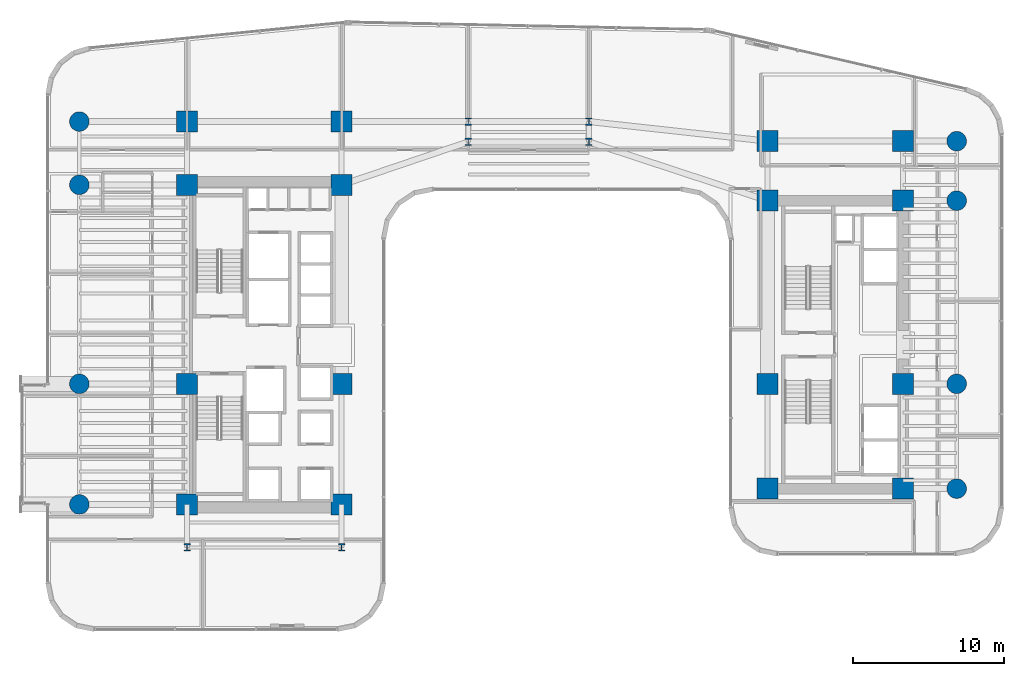
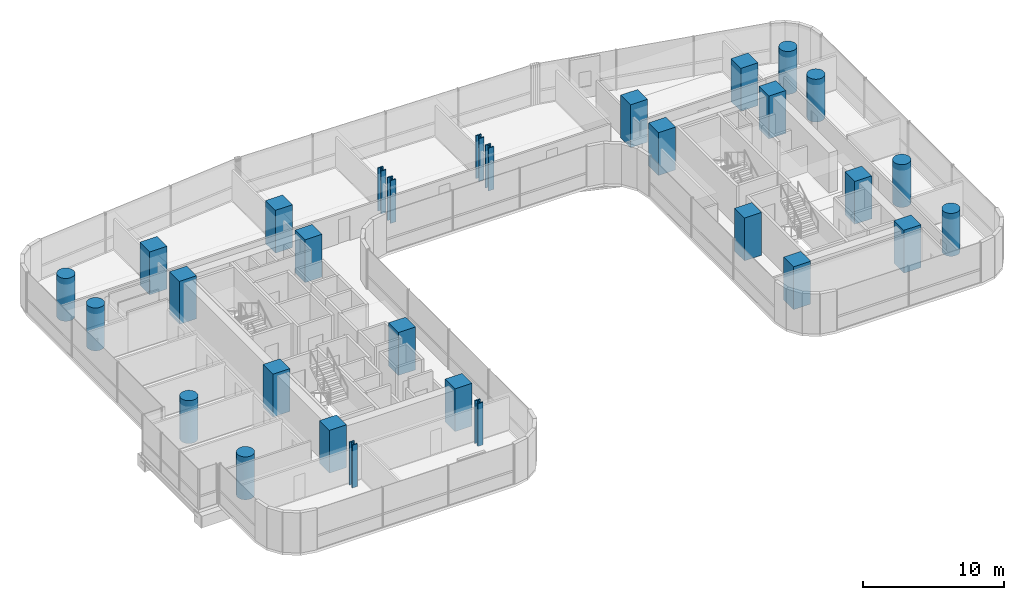
# One storey, part 1 of 39: 30 columns.
"""IFC4 building model written with IfcOpenShell, lengths in metres."""

from ifc_helpers import new_model, si_unit, direction, frame, origin, origin_2d, place, context, subcontext, project, spatial, rectangle, circle, i_section, extrude, source, transform, mapped, material, material_profile, profile_set, type_object, element, save


model = new_model("IFC4")

# Units and contexts
model_context = context("Model", 3, precision=1e-05, world=origin(), true_north=direction((0.0, 1.0)))
body_context = subcontext(model_context, "Body", "Model", "MODEL_VIEW")
ifc_project = project(units=[si_unit("LENGTHUNIT", "METRE"), si_unit("AREAUNIT", "SQUARE_METRE"), si_unit("VOLUMEUNIT", "CUBIC_METRE"), si_unit("PLANEANGLEUNIT", "RADIAN"), si_unit("MASSUNIT", "GRAM", prefix="KILO")], contexts=[model_context])

# Site, building, storey
site_placement = place(None, origin())
site = spatial("IfcSite", under=ifc_project, at=site_placement, CompositionType="ELEMENT")
building_placement = place(site_placement, origin())
building = spatial("IfcBuilding", under=site, at=building_placement, Name="Valdorenza Pilgrim Sanctuary Tower", CompositionType="ELEMENT")
storey_placement = place(building_placement, frame((0.0, 0.0, 33.39990234375)))
storey = spatial("IfcBuildingStorey", under=building, at=storey_placement, Name="L07", CompositionType="ELEMENT", Elevation=33.39990234375)

# Columns
ifc_material_1 = material(Name="Concrete C60/75", Category="concrete")
ifc_material_profile_1 = material_profile(ifc_material_1, circle(Radius=0.64990234375, at=origin_2d()), Name="RC D1300")
ifc_profile_set_1 = profile_set([ifc_material_profile_1], Name="Concrete C60/75")
column_type_1 = type_object("IfcColumnType", Name="COL-RND-1300", PredefinedType="COLUMN", material=ifc_profile_set_1)
shared_shape_1 = source(origin(), body_context, "Body", "SweptSolid", [
    extrude(circle(Radius=0.64990234375, at=origin_2d()), origin(), (0.0, 0.0, 1.0), 3.7001953125),
])
for number, where, z_axis, x_axis, name in (
    (1, (-29.800048828125, -10.60009765625, 0.0), (0.0, 0.0, 1.0), (1.0, 0.0, 0.0), "L07 Perimeter Column WA-W-S1"),
    (2, (-29.800048828125, -2.60009765625, 0.0), (0.0, 0.0, 1.0), (1.0, 0.0, 0.0), "L07 Perimeter Column WA-W-M0"),
    (3, (-29.800048828125, 10.60009765625, 0.0), (0.0, 0.0, 1.0), (1.0, 0.0, 0.0), "L07 Perimeter Column WA-W-N1"),
    (4, (-29.800048828125, 14.800048828125, 0.0), (0.0, 0.0, 1.0), (1.0, 0.0, 0.0), "L07 Perimeter Column WA-W-N2"),
    (5, (28.39990234375, -9.550048828125, 0.0), (0.0, 0.0, 1.0), (1.0, 0.0, 0.0), "L07 Perimeter Column WB-E-S1"),
    (6, (28.39990234375, -2.60009765625, 0.0), (0.0, 0.0, 1.0), (1.0, 0.0, 0.0), "L07 Perimeter Column WB-E-M0"),
    (7, (28.39990234375, 9.550048828125, 0.0), (0.0, 0.0, 1.0), (1.0, 0.0, 0.0), "L07 Perimeter Column WB-E-N1"),
    (8, (28.39990234375, 13.5, 0.0), (0.0, 0.0, 1.0), (1.0, 0.0, 0.0), "L07 Perimeter Column WB-E-N2"),
):
    element("IfcColumn", number, at=place(storey_placement, frame(where, z_axis=z_axis, x_axis=x_axis)), inside=storey, type_object=column_type_1, Name=name, PredefinedType="COLUMN", context=body_context, shape_type="MappedRepresentation", body=[
        mapped(shared_shape_1, transform((0.0, 0.0, 0.0), x_axis=(1.0, 0.0, 0.0), y_axis=(0.0, 1.0, 0.0), z_axis=(0.0, 0.0, 1.0), scale=1.0)),
    ])
ifc_material_profile_2 = material_profile(ifc_material_1, rectangle(XDim=1.39990234375, YDim=1.39990234375, at=origin_2d()), Name="RC 1400x1400")
ifc_profile_set_2 = profile_set([ifc_material_profile_2], Name="Concrete C60/75")
column_type_2 = type_object("IfcColumnType", Name="COL-Z1-1400", PredefinedType="COLUMN", material=ifc_profile_set_2)
shared_shape_2 = source(origin(), body_context, "Body", "SweptSolid", [
    extrude(rectangle(XDim=1.39990234375, YDim=1.39990234375, at=origin_2d()), origin(), (0.0, 0.0, 1.0), 3.7001953125),
])
for number, where, z_axis, x_axis, name in (
    (9, (-22.64990234375, -10.60009765625, 0.0), (0.0, 0.0, 1.0), (1.0, 0.0, 0.0), "L07 Column CA-W-S1"),
    (10, (-12.39990234375, -10.60009765625, 0.0), (0.0, 0.0, 1.0), (1.0, 0.0, 0.0), "L07 Column CA-E-S1"),
    (11, (-22.64990234375, -2.60009765625, 0.0), (0.0, 0.0, 1.0), (1.0, 0.0, 0.0), "L07 Column CA-W-M0"),
    (12, (-12.39990234375, -2.60009765625, 0.0), (0.0, 0.0, 1.0), (1.0, 0.0, 0.0), "L07 Column CA-E-M0"),
    (13, (-22.64990234375, 10.60009765625, 0.0), (0.0, 0.0, 1.0), (1.0, 0.0, 0.0), "L07 Column CA-W-N1"),
    (14, (-12.39990234375, 10.60009765625, 0.0), (0.0, 0.0, 1.0), (1.0, 0.0, 0.0), "L07 Column CA-E-N1"),
    (15, (-22.64990234375, 14.800048828125, 0.0), (0.0, 0.0, 1.0), (1.0, 0.0, 0.0), "L07 Column CA-W-N2"),
    (16, (-12.39990234375, 14.800048828125, 0.0), (0.0, 0.0, 1.0), (1.0, 0.0, 0.0), "L07 Column CA-E-N2"),
    (17, (15.85009765625, -9.550048828125, 0.0), (0.0, 0.0, 1.0), (1.0, 0.0, 0.0), "L07 Column CB-W-S1"),
    (18, (24.85009765625, -9.550048828125, 0.0), (0.0, 0.0, 1.0), (1.0, 0.0, 0.0), "L07 Column CB-E-S1"),
    (19, (15.85009765625, -2.60009765625, 0.0), (0.0, 0.0, 1.0), (1.0, 0.0, 0.0), "L07 Column CB-W-M0"),
    (20, (24.85009765625, -2.60009765625, 0.0), (0.0, 0.0, 1.0), (1.0, 0.0, 0.0), "L07 Column CB-E-M0"),
    (21, (15.85009765625, 9.550048828125, 0.0), (0.0, 0.0, 1.0), (1.0, 0.0, 0.0), "L07 Column CB-W-N1"),
    (22, (24.85009765625, 9.550048828125, 0.0), (0.0, 0.0, 1.0), (1.0, 0.0, 0.0), "L07 Column CB-E-N1"),
    (23, (15.85009765625, 13.5, 0.0), (0.0, 0.0, 1.0), (1.0, 0.0, 0.0), "L07 Column CB-W-N2"),
    (24, (24.85009765625, 13.5, 0.0), (0.0, 0.0, 1.0), (1.0, 0.0, 0.0), "L07 Column CB-E-N2"),
):
    element("IfcColumn", number, at=place(storey_placement, frame(where, z_axis=z_axis, x_axis=x_axis)), inside=storey, type_object=column_type_2, Name=name, PredefinedType="COLUMN", context=body_context, shape_type="MappedRepresentation", body=[
        mapped(shared_shape_2, transform((0.0, 0.0, 0.0), x_axis=(1.0, 0.0, 0.0), y_axis=(0.0, 1.0, 0.0), z_axis=(0.0, 0.0, 1.0), scale=1.0)),
    ])
ifc_material_2 = material(Name="Steel ASTM A992 Grade 50", Category="steel")
ifc_material_profile_3 = material_profile(ifc_material_2, i_section(OverallWidth=0.431884765625, OverallDepth=0.498046875, WebThickness=0.0556640625, FlangeThickness=0.0888671875, at=origin_2d()), Name="W14X500")
ifc_profile_set_3 = profile_set([ifc_material_profile_3], Name="Steel ASTM A992 Grade 50")
column_type_3 = type_object("IfcColumnType", Name="COL-STL-W500", PredefinedType="COLUMN", material=ifc_profile_set_3)
shared_shape_3 = source(origin(), body_context, "Body", "SweptSolid", [
    extrude(i_section(OverallWidth=0.431884765625, OverallDepth=0.498046875, WebThickness=0.0556640625, FlangeThickness=0.0888671875, at=origin_2d()), origin(), (0.0, 0.0, 1.0), 3.7001953125),
])
for number, where, z_axis, x_axis, name in (
    (25, (-22.64990234375, -13.449951171875, 0.0), (0.0, 0.0, 1.0), (1.0, 0.0, 0.0), "L07 Column WA-S-W"),
    (26, (-12.39990234375, -13.449951171875, 0.0), (0.0, 0.0, 1.0), (1.0, 0.0, 0.0), "L07 Column WA-S-E"),
    (27, (-4.0, 13.449951171875, 0.0), (0.0, 0.0, 1.0), (1.0, 0.0, 0.0), "L07 Column KNK-W1"),
    (28, (-4.0, 14.800048828125, 0.0), (0.0, 0.0, 1.0), (1.0, 0.0, 0.0), "L07 Column KNK-W2"),
    (29, (4.0, 13.449951171875, 0.0), (0.0, 0.0, 1.0), (1.0, 0.0, 0.0), "L07 Column KNK-E1"),
    (30, (4.0, 14.800048828125, 0.0), (0.0, 0.0, 1.0), (1.0, 0.0, 0.0), "L07 Column KNK-E2"),
):
    element("IfcColumn", number, at=place(storey_placement, frame(where, z_axis=z_axis, x_axis=x_axis)), inside=storey, type_object=column_type_3, Name=name, PredefinedType="COLUMN", context=body_context, shape_type="MappedRepresentation", body=[
        mapped(shared_shape_3, transform((0.0, 0.0, 0.0), x_axis=(1.0, 0.0, 0.0), y_axis=(0.0, 1.0, 0.0), z_axis=(0.0, 0.0, 1.0), scale=1.0)),
    ])

save(model, "model.ifc")
